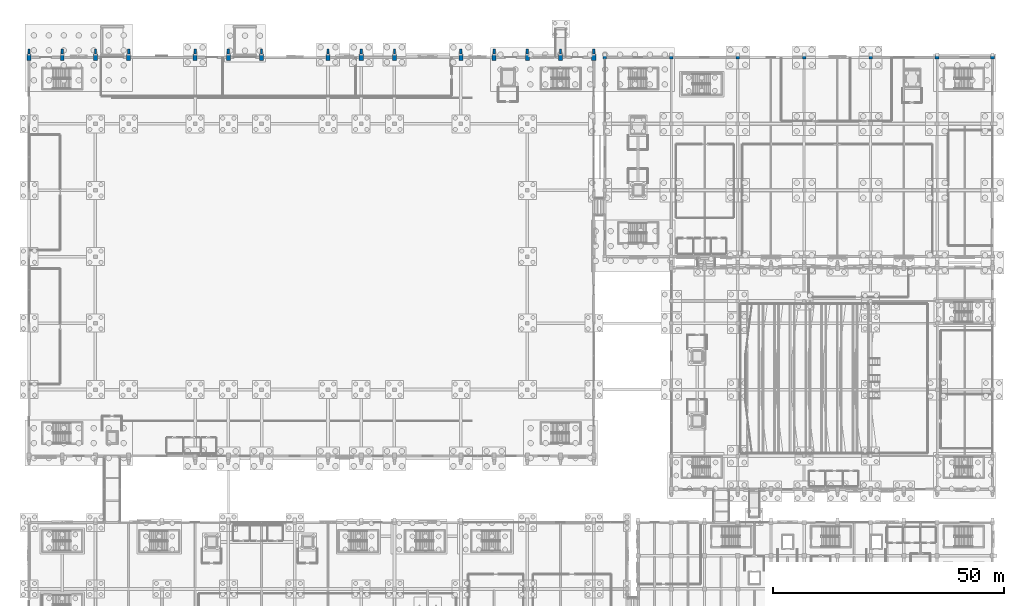
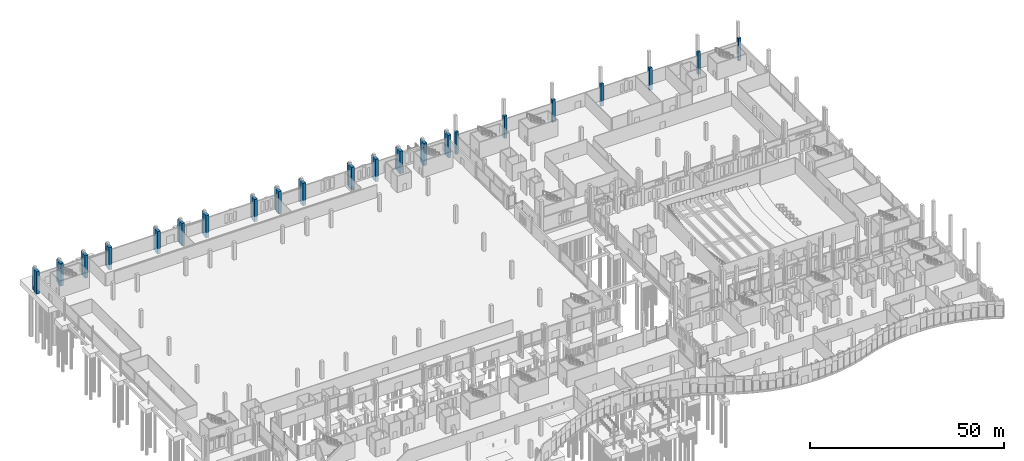
# One storey, part 19 of 192: 37 columns.
"""IFC4 building model written with IfcOpenShell, lengths in metres."""

from ifc_helpers import new_model, si_unit, direction, frame, origin, origin_2d, place, context, subcontext, project, spatial, rectangle, extrude, material, material_profile, profile_set, type_object, element, save


model = new_model("IFC4")

# Units and contexts
model_context = context("Model", 3, precision=1e-05, world=origin(), true_north=direction((0.0, 1.0)))
body_context = subcontext(model_context, "Body", "Model", "MODEL_VIEW")
ifc_project = project(units=[si_unit("LENGTHUNIT", "METRE"), si_unit("AREAUNIT", "SQUARE_METRE"), si_unit("VOLUMEUNIT", "CUBIC_METRE"), si_unit("PLANEANGLEUNIT", "RADIAN"), si_unit("MASSUNIT", "GRAM", prefix="KILO")], contexts=[model_context])

# Site, building, storey
site_placement = place(None, origin())
site = spatial("IfcSite", under=ifc_project, at=site_placement, CompositionType="ELEMENT")
building_placement = place(site_placement, origin())
building = spatial("IfcBuilding", under=site, at=building_placement, Name="Cendralis Lancet Convention Centre", CompositionType="ELEMENT")
storey_placement = place(building_placement, origin())
storey = spatial("IfcBuildingStorey", under=building, at=storey_placement, Name="L00", CompositionType="ELEMENT", Elevation=0.0)

# Columns
ifc_material = material(Name="Concrete G40 (C40/50)", Category="concrete")
ifc_material_profile_1 = material_profile(ifc_material, rectangle(XDim=0.800048828125, YDim=0.800048828125, at=origin_2d()), Name="RC 800x800")
ifc_profile_set_1 = profile_set([ifc_material_profile_1], Name="Concrete G40 (C40/50)")
column_type_1 = type_object("IfcColumnType", Name="STR-COL-C05", PredefinedType="COLUMN", material=ifc_profile_set_1)
for number, where, z_axis, x_axis, name in (
    (1, (124.800048828125, 136.800048828125, -1.64990234375), (0.0, 0.0, 1.0), (1.0, 0.0, 0.0), "L00 Column C05 at 124.8,136.8"),
    (2, (139.199951171875, 136.800048828125, -1.64990234375), (0.0, 0.0, 1.0), (1.0, 0.0, 0.0), "L00 Column C05 at 139.2,136.8"),
    (3, (153.60009765625, 136.800048828125, -1.64990234375), (0.0, 0.0, 1.0), (1.0, 0.0, 0.0), "L00 Column C05 at 153.6,136.8"),
    (4, (168.0, 136.800048828125, -1.64990234375), (0.0, 0.0, 1.0), (1.0, 0.0, 0.0), "L00 Column C05 at 168.0,136.8"),
    (5, (182.39990234375, 136.800048828125, -1.64990234375), (0.0, 0.0, 1.0), (1.0, 0.0, 0.0), "L00 Column C05 at 182.4,136.8"),
    (6, (196.800048828125, 136.800048828125, -1.64990234375), (0.0, 0.0, 1.0), (1.0, 0.0, 0.0), "L00 Column C05 at 196.8,136.8"),
    (7, (208.800048828125, 136.800048828125, -1.64990234375), (0.0, 0.0, 1.0), (1.0, 0.0, 0.0), "L00 Column C05 at 208.8,136.8"),
):
    element("IfcColumn", number, at=place(storey_placement, frame(where, z_axis=z_axis, x_axis=x_axis)), inside=storey, type_object=column_type_1, Name=name, PredefinedType="COLUMN", context=body_context, shape_type="SweptSolid", body=[
        extrude(rectangle(XDim=0.800048828125, YDim=0.800048828125, at=origin_2d()), origin(), (0.0, 0.0, 1.0), 7.0498046875),
    ])
ifc_material_profile_2 = material_profile(ifc_material, rectangle(XDim=0.89990234375, YDim=1.39990234375, at=origin_2d()), Name="RC 900x1400")
ifc_profile_set_2 = profile_set([ifc_material_profile_2], Name="Concrete G40 (C40/50)")
column_type_2 = type_object("IfcColumnType", Name="STR-COL-C13", PredefinedType="COLUMN", material=ifc_profile_set_2)
for number, where, z_axis, x_axis, name in (
    (8, (0.0, 136.800048828125, -1.64990234375), (0.0, 0.0, 1.0), (1.0, 0.0, 0.0), "L00 Column C13 at 0.0,136.8"),
    (9, (14.39990234375, 136.800048828125, -1.64990234375), (0.0, 0.0, 1.0), (1.0, 0.0, 0.0), "L00 Column C13 at 14.4,136.8"),
    (10, (36.0, 136.800048828125, -1.64990234375), (0.0, 0.0, 1.0), (1.0, 0.0, 0.0), "L00 Column C13 at 36.0,136.8"),
    (11, (50.39990234375, 136.800048828125, -1.64990234375), (0.0, 0.0, 1.0), (1.0, 0.0, 0.0), "L00 Column C13 at 50.4,136.8"),
    (12, (72.0, 136.800048828125, -1.64990234375), (0.0, 0.0, 1.0), (1.0, 0.0, 0.0), "L00 Column C13 at 72.0,136.8"),
    (13, (93.60009765625, 136.800048828125, -1.64990234375), (0.0, 0.0, 1.0), (1.0, 0.0, 0.0), "L00 Column C13 at 93.6,136.8"),
    (14, (108.0, 136.800048828125, -1.64990234375), (0.0, 0.0, 1.0), (1.0, 0.0, 0.0), "L00 Column C13 at 108.0,136.8"),
    (15, (122.39990234375, 136.800048828125, -1.64990234375), (0.0, 0.0, 1.0), (1.0, 0.0, 0.0), "L00 Column C13 at 122.4,136.8"),
):
    element("IfcColumn", number, at=place(storey_placement, frame(where, z_axis=z_axis, x_axis=x_axis)), inside=storey, type_object=column_type_2, Name=name, PredefinedType="COLUMN", context=body_context, shape_type="SweptSolid", body=[
        extrude(rectangle(XDim=0.89990234375, YDim=1.39990234375, at=origin_2d()), origin(), (0.0, 0.0, 1.0), 7.0498046875),
    ])
ifc_material_profile_3 = material_profile(ifc_material, rectangle(XDim=0.85009765625, YDim=1.300048828125, at=origin_2d()), Name="RC 850x1300")
ifc_profile_set_3 = profile_set([ifc_material_profile_3], Name="Concrete G40 (C40/50)")
column_type_3 = type_object("IfcColumnType", Name="STR-COL-C14", PredefinedType="COLUMN", material=ifc_profile_set_3)
for number, where, z_axis, x_axis, name in (
    (16, (7.199951171875, 136.800048828125, -1.64990234375), (0.0, 0.0, 1.0), (1.0, 0.0, 0.0), "L00 Column C14 at 7.2,136.8"),
    (17, (21.60009765625, 136.800048828125, -1.64990234375), (0.0, 0.0, 1.0), (1.0, 0.0, 0.0), "L00 Column C14 at 21.6,136.8"),
    (18, (43.199951171875, 136.800048828125, -1.64990234375), (0.0, 0.0, 1.0), (1.0, 0.0, 0.0), "L00 Column C14 at 43.2,136.8"),
    (19, (64.800048828125, 136.800048828125, -1.64990234375), (0.0, 0.0, 1.0), (1.0, 0.0, 0.0), "L00 Column C14 at 64.8,136.8"),
    (20, (79.199951171875, 136.800048828125, -1.64990234375), (0.0, 0.0, 1.0), (1.0, 0.0, 0.0), "L00 Column C14 at 79.2,136.8"),
    (21, (100.800048828125, 136.800048828125, -1.64990234375), (0.0, 0.0, 1.0), (1.0, 0.0, 0.0), "L00 Column C14 at 100.8,136.8"),
    (22, (115.199951171875, 136.800048828125, -1.64990234375), (0.0, 0.0, 1.0), (1.0, 0.0, 0.0), "L00 Column C14 at 115.2,136.8"),
):
    element("IfcColumn", number, at=place(storey_placement, frame(where, z_axis=z_axis, x_axis=x_axis)), inside=storey, type_object=column_type_3, Name=name, PredefinedType="COLUMN", context=body_context, shape_type="SweptSolid", body=[
        extrude(rectangle(XDim=0.85009765625, YDim=1.300048828125, at=origin_2d()), origin(), (0.0, 0.0, 1.0), 7.0498046875),
    ])
ifc_material_profile_4 = material_profile(ifc_material, rectangle(XDim=0.5, YDim=1.10009765625, at=origin_2d()), Name="RC 500x1100")
ifc_profile_set_4 = profile_set([ifc_material_profile_4], Name="Concrete G40 (C40/50)")
column_type_4 = type_object("IfcColumnType", Name="STR-PIL-PL01", PredefinedType="PILASTER", material=ifc_profile_set_4)
for number, where, z_axis, x_axis, name in (
    (23, (0.0, 138.06005859375, -1.64990234375), (0.0, 0.0, 1.0), (1.0, 0.0, 0.0), "L00 Column PL01 at 0.0,138.1"),
    (24, (7.199951171875, 138.06005859375, -1.64990234375), (0.0, 0.0, 1.0), (1.0, 0.0, 0.0), "L00 Column PL01 at 7.2,138.1"),
    (25, (14.39990234375, 138.06005859375, -1.64990234375), (0.0, 0.0, 1.0), (1.0, 0.0, 0.0), "L00 Column PL01 at 14.4,138.1"),
    (26, (21.60009765625, 138.06005859375, -1.64990234375), (0.0, 0.0, 1.0), (1.0, 0.0, 0.0), "L00 Column PL01 at 21.6,138.1"),
    (27, (36.0, 138.06005859375, -1.64990234375), (0.0, 0.0, 1.0), (1.0, 0.0, 0.0), "L00 Column PL01 at 36.0,138.1"),
    (28, (43.199951171875, 138.06005859375, -1.64990234375), (0.0, 0.0, 1.0), (1.0, 0.0, 0.0), "L00 Column PL01 at 43.2,138.1"),
    (29, (50.39990234375, 138.06005859375, -1.64990234375), (0.0, 0.0, 1.0), (1.0, 0.0, 0.0), "L00 Column PL01 at 50.4,138.1"),
    (30, (64.800048828125, 138.06005859375, -1.64990234375), (0.0, 0.0, 1.0), (1.0, 0.0, 0.0), "L00 Column PL01 at 64.8,138.1"),
    (31, (72.0, 138.06005859375, -1.64990234375), (0.0, 0.0, 1.0), (1.0, 0.0, 0.0), "L00 Column PL01 at 72.0,138.1"),
    (32, (79.199951171875, 138.06005859375, -1.64990234375), (0.0, 0.0, 1.0), (1.0, 0.0, 0.0), "L00 Column PL01 at 79.2,138.1"),
    (33, (93.60009765625, 138.06005859375, -1.64990234375), (0.0, 0.0, 1.0), (1.0, 0.0, 0.0), "L00 Column PL01 at 93.6,138.1"),
    (34, (100.800048828125, 138.06005859375, -1.64990234375), (0.0, 0.0, 1.0), (1.0, 0.0, 0.0), "L00 Column PL01 at 100.8,138.1"),
    (35, (108.0, 138.06005859375, -1.64990234375), (0.0, 0.0, 1.0), (1.0, 0.0, 0.0), "L00 Column PL01 at 108.0,138.1"),
    (36, (115.199951171875, 138.06005859375, -1.64990234375), (0.0, 0.0, 1.0), (1.0, 0.0, 0.0), "L00 Column PL01 at 115.2,138.1"),
    (37, (122.39990234375, 138.06005859375, -1.64990234375), (0.0, 0.0, 1.0), (1.0, 0.0, 0.0), "L00 Column PL01 at 122.4,138.1"),
):
    element("IfcColumn", number, at=place(storey_placement, frame(where, z_axis=z_axis, x_axis=x_axis)), inside=storey, type_object=column_type_4, Name=name, PredefinedType="PILASTER", context=body_context, shape_type="SweptSolid", body=[
        extrude(rectangle(XDim=0.5, YDim=1.10009765625, at=origin_2d()), origin(), (0.0, 0.0, 1.0), 7.0498046875),
    ])

save(model, "model.ifc")
